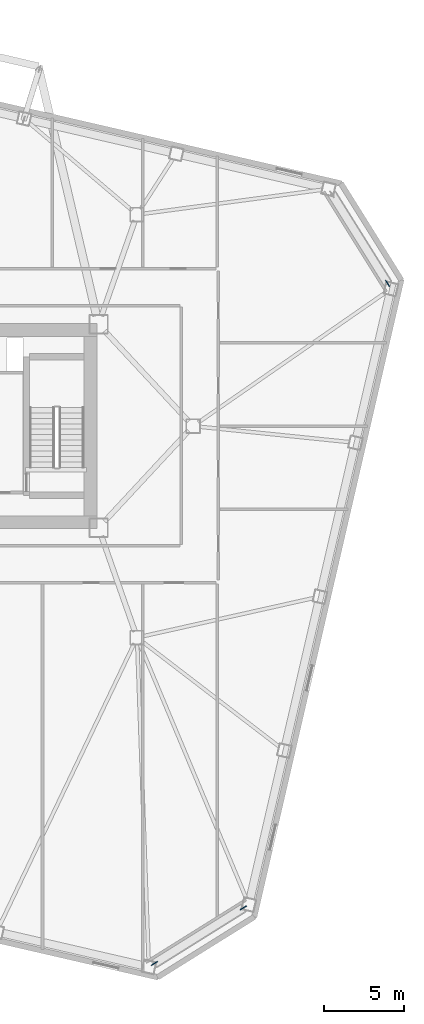
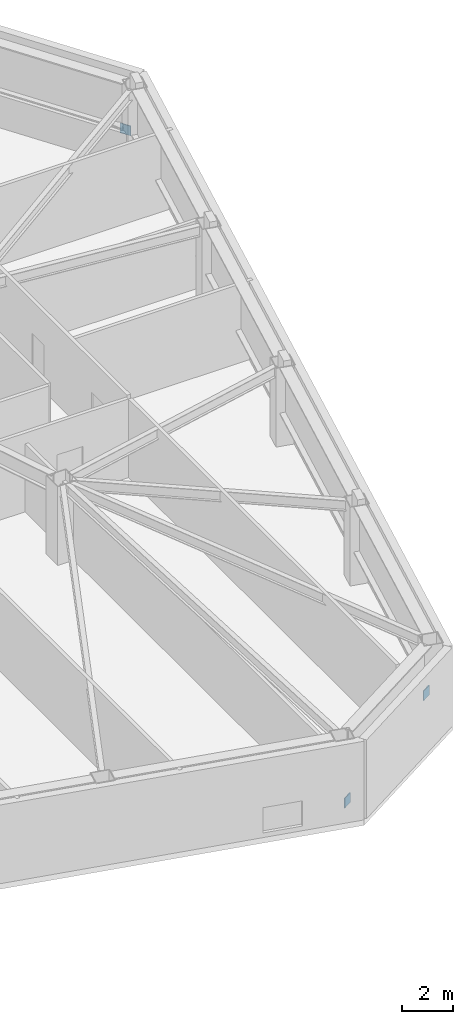
# One storey, part 18 of 21: 3 discrete accessories.
"""IFC4 building model written with IfcOpenShell, lengths in metres."""

from ifc_helpers import new_model, si_unit, direction, frame, origin, origin_2d, place, context, subcontext, project, spatial, rectangle, extrude, material, type_object, element, save


model = new_model("IFC4")

# Units and contexts
model_context = context("Model", 3, precision=1e-05, world=origin(), true_north=direction((0.0, 1.0)))
body_context = subcontext(model_context, "Body", "Model", "MODEL_VIEW")
ifc_project = project(units=[si_unit("LENGTHUNIT", "METRE"), si_unit("AREAUNIT", "SQUARE_METRE"), si_unit("VOLUMEUNIT", "CUBIC_METRE"), si_unit("PLANEANGLEUNIT", "RADIAN"), si_unit("MASSUNIT", "GRAM", prefix="KILO")], contexts=[model_context])

# Site, building, storey
site_placement = place(None, origin())
site = spatial("IfcSite", under=ifc_project, at=site_placement, CompositionType="ELEMENT")
building_placement = place(site_placement, origin())
building = spatial("IfcBuilding", under=site, at=building_placement, Name="Tavrogorsk Clinical Tower", CompositionType="ELEMENT")
storey_placement = place(building_placement, frame((0.0, 0.0, 59.39990234375)))
storey = spatial("IfcBuildingStorey", under=building, at=storey_placement, Name="L12", CompositionType="ELEMENT", Elevation=59.39990234375)

# Discrete accessories
ifc_material = material(Name="Structural steel S440", Category="steel")
discrete_accessory_type = type_object("IfcDiscreteAccessoryType", Name="GussetPlateBracket_25", PredefinedType="BRACKET", material=ifc_material)
for number, where, z_axis, x_axis, name in (
    (1, (25.581298828125, -33.543212890625, 0.13525390625), (0.0, 0.0, 1.0), (0.848048096156, 0.529919264233, 0.0), "L12 Brace Gusset Plate EXOCRN-L12-1-A"),
    (2, (31.134521484375, -30.0732421875, 1.195068359375), (0.0, 0.0, 1.0), (0.848048096156, 0.529919264233, 0.0), "L12 Brace Gusset Plate EXOCRN-L12-1-B"),
    (3, (40.134765625, 8.9111328125, 1.195068359375), (0.0, 0.0, 1.0), (0.529919264233, -0.848048096156, 0.0), "L12 Brace Gusset Plate EXOCRN-L12-2-B"),
):
    element("IfcDiscreteAccessory", number, at=place(storey_placement, frame(where, z_axis=z_axis, x_axis=x_axis)), inside=storey, type_object=discrete_accessory_type, Name=name, PredefinedType="BRACKET", context=body_context, shape_type="SweptSolid", body=[
        extrude(rectangle(XDim=0.4599609375, YDim=0.0400390625, at=origin_2d()), origin(), (0.0, 0.0, 1.0), 0.4599609375),
    ])

save(model, "model.ifc")
